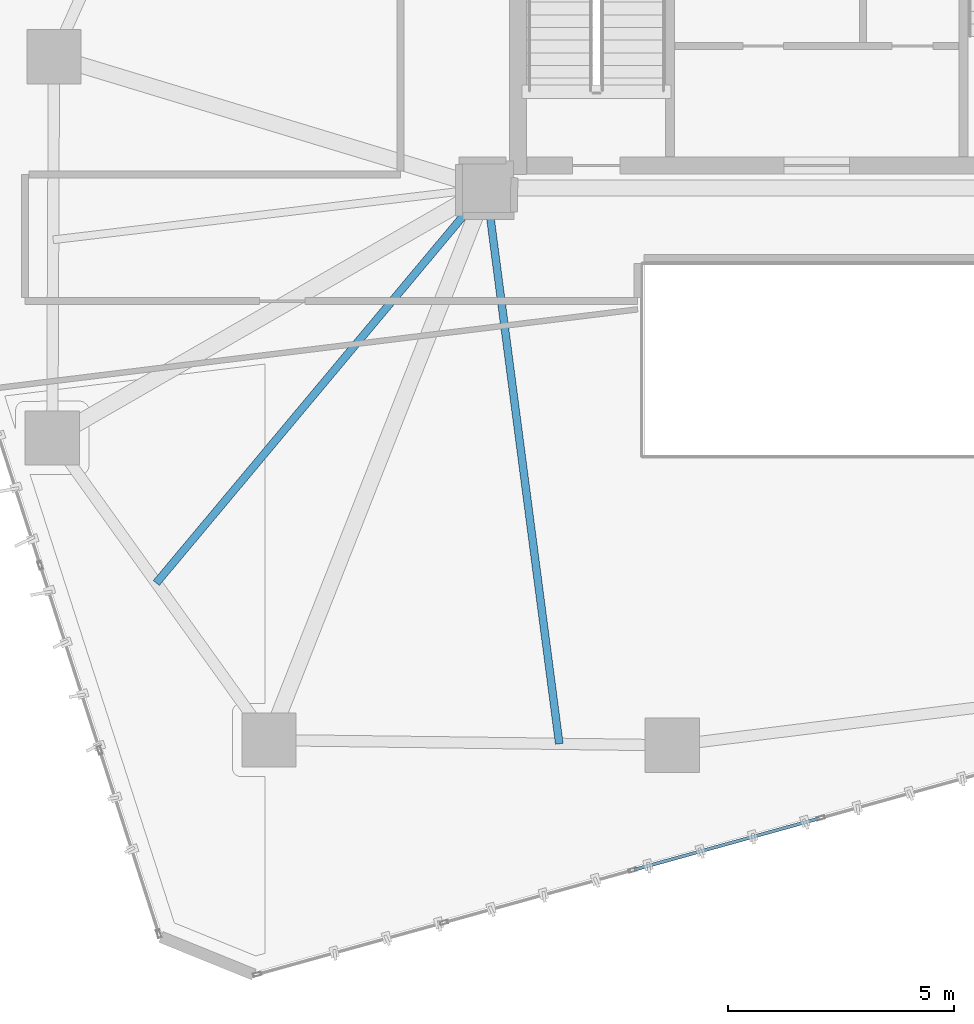
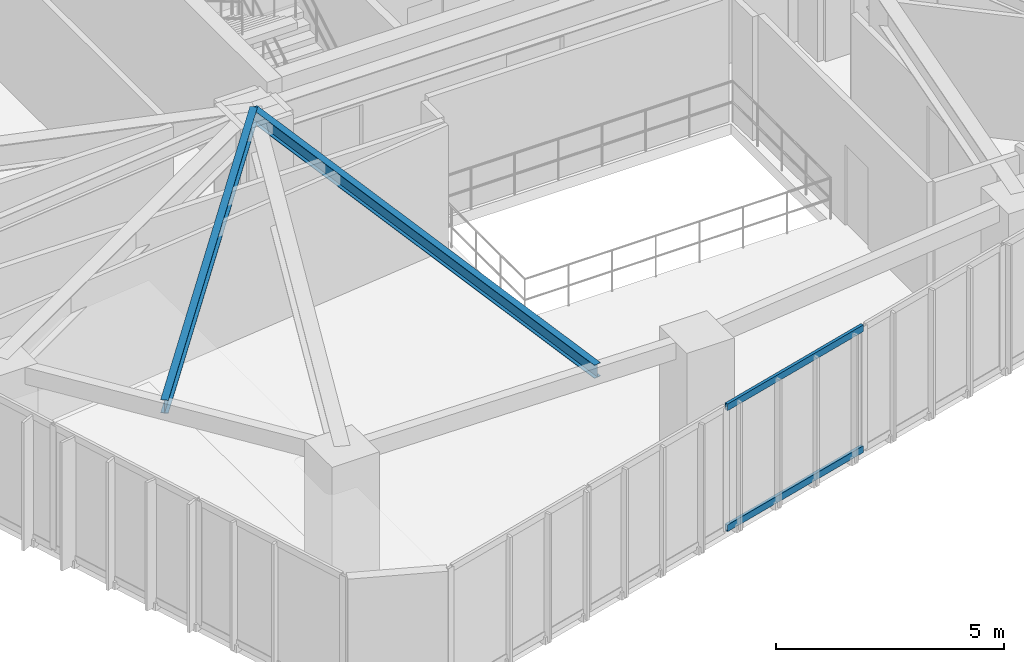
# One storey, part 4 of 20: 2 beams, 2 members, 1 element without a shape of its own.
"""IFC4 building model written with IfcOpenShell, lengths in metres."""

import ifcopenshell
import ifcopenshell.guid

model = None  # the IFC model being written
_history = None  # IfcOwnerHistory: only IFC2X3 demands one
_inside = {}  # id of a spatial element -> (the spatial element, [elements in it])
_under = {}  # id of a project, library or spatial element -> (it, [spatial elements below it])
_declared = {}  # id of a project -> (the project, [libraries it declares])
_typed = {}  # id of a type object -> (the type object, [elements of that type])
_made_of = {}  # id of a material, layer set ... -> (it, [elements and type objects made of it])


def new_model(schema):
    """Start an empty IFC model of exactly this schema.

    Asked for "IFC4X3", IfcOpenShell would pick the latest addendum, in which some entities
    have other attributes; the version numbers below select the first issue.
    IFC2X3 requires an IfcOwnerHistory on every rooted entity: one is made here for all.
    """
    global model, _history
    if schema == "IFC4X3":
        model = ifcopenshell.file(schema_version=(4, 3, 0, 0))
    else:
        model = ifcopenshell.file(schema=schema)
    _inside.clear()
    _under.clear()
    _declared.clear()
    _typed.clear()
    _made_of.clear()
    _history = None
    if model.schema == "IFC2X3":
        org = make("IfcOrganization", Name="unknown")
        user = make(
            "IfcPersonAndOrganization",
            ThePerson=make("IfcPerson", FamilyName="unknown"),
            TheOrganization=org,
        )
        app = make(
            "IfcApplication",
            ApplicationDeveloper=org,
            Version="unknown",
            ApplicationFullName="unknown",
            ApplicationIdentifier="unknown",
        )
        _history = make(
            "IfcOwnerHistory",
            OwningUser=user,
            OwningApplication=app,
            ChangeAction="ADDED",
            CreationDate=0,
        )
    return model


def make(cls, **values):
    """One entity of the class cls with the attributes given. An attribute that is None is left unset."""
    return model.create_entity(
        cls, **{name: value for name, value in values.items() if value is not None}
    )


def rooted(cls, **values):
    """An entity with a GlobalId (a new one), such as an element, a storey or a relation."""
    return make(cls, GlobalId=ifcopenshell.guid.new(), OwnerHistory=_history, **values)


def si_unit(unit_type, name, prefix=None):
    """IfcSIUnit, for example si_unit("LENGTHUNIT", "METRE", prefix="MILLI")."""
    return make("IfcSIUnit", UnitType=unit_type, Prefix=prefix, Name=name)


def assignment(units):
    """IfcUnitAssignment: the units of a project."""
    return None if units is None else make("IfcUnitAssignment", Units=units)


def point(xyz):
    """IfcCartesianPoint."""
    return None if xyz is None else make("IfcCartesianPoint", Coordinates=xyz)


def direction(xyz):
    """IfcDirection."""
    return None if xyz is None else make("IfcDirection", DirectionRatios=xyz)


def frame(location, z_axis=None, x_axis=None):
    """IfcAxis2Placement3D, a coordinate frame: its origin and axes. An axis left out is left unset."""
    return make(
        "IfcAxis2Placement3D",
        Location=point(location),
        Axis=direction(z_axis),
        RefDirection=direction(x_axis),
    )


def frame_2d(location, x_axis=None):
    """IfcAxis2Placement2D, a coordinate frame in the plane: its origin and x axis."""
    return make(
        "IfcAxis2Placement2D", Location=point(location), RefDirection=direction(x_axis)
    )


def origin():
    """The frame at (0, 0, 0) with its axes left unset."""
    return frame((0.0, 0.0, 0.0))


def origin_2d():
    """The frame at (0, 0) in the plane with its x axis left unset."""
    return frame_2d((0.0, 0.0))


def place(relative_to, where):
    """IfcLocalPlacement: puts the frame where relative to a parent placement (None: the world)."""
    return make(
        "IfcLocalPlacement", PlacementRelTo=relative_to, RelativePlacement=where
    )


def context(
    kind, dimensions, precision=None, world=None, true_north=None, identifier=None
):
    """IfcGeometricRepresentationContext, for example the 3D "Model" context."""
    return make(
        "IfcGeometricRepresentationContext",
        ContextIdentifier=identifier,
        ContextType=kind,
        CoordinateSpaceDimension=dimensions,
        Precision=precision,
        WorldCoordinateSystem=world,
        TrueNorth=true_north,
    )


def subcontext(parent, identifier, kind, view, scale=None):
    """IfcGeometricRepresentationSubContext, for example "Body" below "Model"."""
    return make(
        "IfcGeometricRepresentationSubContext",
        ContextIdentifier=identifier,
        ContextType=kind,
        ParentContext=parent,
        TargetScale=scale,
        TargetView=view,
    )


def project(units=None, contexts=None):
    """IfcProject with its units and contexts."""
    return rooted(
        "IfcProject",
        Name="project",
        RepresentationContexts=contexts,
        UnitsInContext=assignment(units),
    )


def spatial(cls, under=None, at=None, **own):
    """A site, building, storey or space (cls), placed at a placement, below another one or the project."""
    s = rooted(cls, ObjectPlacement=at, **own)
    if under is not None:
        _under.setdefault(under.id(), (under, []))[1].append(s)
    return s


def profile(cls, at=None, kind="AREA", **sizes):
    """A parametric profile (cls). Its sizes go by their IFC names, for example OverallWidth=200.0."""
    return make(cls, ProfileType=kind, Position=at, **sizes)


def hollow_rectangle(**sizes):
    """IfcRectangleHollowProfileDef."""
    return profile("IfcRectangleHollowProfileDef", **sizes)


def i_section(**sizes):
    """IfcIShapeProfileDef."""
    return profile("IfcIShapeProfileDef", **sizes)


def extrude(swept, where, along, depth):
    """IfcExtrudedAreaSolid: the profile swept, set in the frame where, extruded along a direction by depth."""
    return make(
        "IfcExtrudedAreaSolid",
        SweptArea=swept,
        Position=where,
        ExtrudedDirection=direction(along),
        Depth=depth,
    )


def shape(context_of_items, identifier, shape_type, items):
    """IfcShapeRepresentation: the items that make up one representation, for example the "Body"."""
    return make(
        "IfcShapeRepresentation",
        ContextOfItems=context_of_items,
        RepresentationIdentifier=identifier,
        RepresentationType=shape_type,
        Items=items,
    )


def source(mapping_origin, context_of_items, identifier, shape_type, items):
    """IfcRepresentationMap: a shape defined once, which mapped items show again and again."""
    return make(
        "IfcRepresentationMap",
        MappingOrigin=mapping_origin,
        MappedRepresentation=shape(context_of_items, identifier, shape_type, items),
    )


def transform(
    local_origin,
    x_axis=None,
    y_axis=None,
    z_axis=None,
    scale=None,
    scale2=None,
    scale3=None,
    uniform=True,
):
    """IfcCartesianTransformationOperator3D, or its non-uniform kind. x_axis, y_axis, z_axis: its Axis1, 2, 3."""
    if uniform:
        return make(
            "IfcCartesianTransformationOperator3D",
            Axis1=direction(x_axis),
            Axis2=direction(y_axis),
            LocalOrigin=point(local_origin),
            Scale=scale,
            Axis3=direction(z_axis),
        )
    return make(
        "IfcCartesianTransformationOperator3DnonUniform",
        Axis1=direction(x_axis),
        Axis2=direction(y_axis),
        LocalOrigin=point(local_origin),
        Scale=scale,
        Axis3=direction(z_axis),
        Scale2=scale2,
        Scale3=scale3,
    )


def mapped(mapping_source, mapping_target):
    """IfcMappedItem: shows the shape of a source again, moved by a transform."""
    return make(
        "IfcMappedItem", MappingSource=mapping_source, MappingTarget=mapping_target
    )


def material(Name=None, Category=None):
    """IfcMaterial."""
    return make("IfcMaterial", Name=Name, Category=Category)


def layer(
    of_material, thickness, ventilated=None, Name=None, Category=None, Priority=None
):
    """IfcMaterialLayer: one layer of a wall or slab, of a material (None: an air gap)."""
    return make(
        "IfcMaterialLayer",
        Material=of_material,
        LayerThickness=thickness,
        IsVentilated=ventilated,
        Name=Name,
        Category=Category,
        Priority=Priority,
    )


def layer_set(layers, Name=None):
    """IfcMaterialLayerSet."""
    return make("IfcMaterialLayerSet", MaterialLayers=layers, LayerSetName=Name)


def material_profile(
    of_material, cross_section, Name=None, Category=None, Priority=None
):
    """IfcMaterialProfile: a cross section and its material."""
    return make(
        "IfcMaterialProfile",
        Name=Name,
        Material=of_material,
        Profile=cross_section,
        Priority=Priority,
        Category=Category,
    )


def profile_set(profiles, Name=None, composite=None):
    """IfcMaterialProfileSet."""
    return make(
        "IfcMaterialProfileSet",
        Name=Name,
        MaterialProfiles=profiles,
        CompositeProfile=composite,
    )


def made_of(thing, what):
    """Note that an element or type object is made of a material, layer set ...; save() writes the relation."""
    if what is not None:
        _made_of.setdefault(what.id(), (what, []))[1].append(thing)
    return thing


def type_object(cls, material=None, **own):
    """A type object (cls), such as IfcWallType, which elements share."""
    return made_of(rooted(cls, **own), material)


def type_shapes(of_type, sources):
    """Give a type object the sources (RepresentationMaps) that its elements show as mapped items."""
    of_type.RepresentationMaps = sources


def element(
    cls,
    number,
    at=None,
    inside=None,
    cuts=None,
    type_object=None,
    material=None,
    context=None,
    identifier="Body",
    shape_type=None,
    held_by="IfcProductDefinitionShape",
    body=None,
    shapes=None,
    **own,
):
    """One element of the class cls, such as IfcWall. Its Tag is "e" and its number.

    at: its placement. inside: the storey or other place that contains it. cuts: it is an
    opening in that element (IfcRelVoidsElement). A single representation is given by context,
    identifier, shape_type and body (its items); several are given by shapes. held_by: the class
    of the entity that holds the representations. save() writes the other relations.
    """
    e = rooted(cls, Tag="e%d" % number, ObjectPlacement=at, **own)
    if body is not None:
        shapes = [shape(context, identifier, shape_type, body)]
    if shapes is not None:
        e.Representation = make(held_by, Representations=shapes)
    if inside is not None:
        _inside.setdefault(inside.id(), (inside, []))[1].append(e)
    if cuts is not None:
        rooted(
            "IfcRelVoidsElement", RelatingBuildingElement=cuts, RelatedOpeningElement=e
        )
    if type_object is not None:
        _typed.setdefault(type_object.id(), (type_object, []))[1].append(e)
    return made_of(e, material)


def aggregate(whole, parts):
    """IfcRelAggregates: a whole, such as a stair, and the parts it consists of."""
    return rooted("IfcRelAggregates", RelatingObject=whole, RelatedObjects=parts)


def save(model, path):
    """Write the relations noted so far, then the file.

    IfcRelAggregates (storeys below a building ...), IfcRelContainedInSpatialStructure (elements
    in a storey), IfcRelDefinesByType, IfcRelAssociatesMaterial and IfcRelDeclares: one each for
    every whole, place, type object, material and project.
    """
    for whole, parts in _under.values():
        aggregate(whole, parts)
    for where, things in _inside.values():
        rooted(
            "IfcRelContainedInSpatialStructure",
            RelatedElements=things,
            RelatingStructure=where,
        )
    for kind, things in _typed.values():
        rooted("IfcRelDefinesByType", RelatedObjects=things, RelatingType=kind)
    for what, things in _made_of.values():
        rooted("IfcRelAssociatesMaterial", RelatedObjects=things, RelatingMaterial=what)
    for by, libraries in _declared.values():
        rooted("IfcRelDeclares", RelatingContext=by, RelatedDefinitions=libraries)
    model.write(path)


model = new_model("IFC4")

# Units and contexts
model_context = context("Model", 3, precision=1e-05, world=origin(), true_north=direction((0.0, 1.0)))
body_context = subcontext(model_context, "Body", "Model", "MODEL_VIEW")
ifc_project = project(units=[si_unit("LENGTHUNIT", "METRE"), si_unit("AREAUNIT", "SQUARE_METRE"), si_unit("VOLUMEUNIT", "CUBIC_METRE"), si_unit("PLANEANGLEUNIT", "RADIAN"), si_unit("MASSUNIT", "GRAM", prefix="KILO")], contexts=[model_context])

# Site, building, storey
site_placement = place(None, origin())
site = spatial("IfcSite", under=ifc_project, at=site_placement, CompositionType="ELEMENT")
building_placement = place(site_placement, origin())
building = spatial("IfcBuilding", under=site, at=building_placement, Name="Talar Marvaseh", CompositionType="ELEMENT")
storey_placement = place(building_placement, frame((0.0, 0.0, 136.199951171875)))
storey = spatial("IfcBuildingStorey", under=building, at=storey_placement, Name="L35", CompositionType="ELEMENT", Elevation=136.199951171875)

# Beams
ifc_material_1 = material(Name="Steel S355", Category="steel")
ifc_material_profile_1 = material_profile(ifc_material_1, i_section(OverallWidth=0.172119140625, OverallDepth=0.35791015625, WebThickness=0.0078125, FlangeThickness=0.01318359375, at=origin_2d()), Name="W360x57")
ifc_profile_set_1 = profile_set([ifc_material_profile_1], Name="Steel S355")
beam_type = type_object("IfcBeamType", Name="Zone 2 Secondary Floor Joist W360x57", PredefinedType="JOIST", material=ifc_profile_set_1)
beam_1_placement = place(storey_placement, frame((20.30908203125, 13.215576171875, 3.131103515625), z_axis=(-0.129880008292, 0.991529718892, 0.0), x_axis=(-0.991529718892, -0.129880008292, 0.0)))
element("IfcBeam", 1, at=beam_1_placement, inside=storey, type_object=beam_type, Name="L35 Zone 2 Secondary Floor Joist W360x57", PredefinedType="JOIST", context=body_context, shape_type="SweptSolid", body=[
    extrude(i_section(OverallWidth=0.172119140625, OverallDepth=0.35791015625, WebThickness=0.0078125, FlangeThickness=0.01318359375, at=origin_2d()), origin(), (0.0, 0.0, 1.0), 12.389404296875),
])
beam_2_placement = place(storey_placement, frame((11.400146484375, 16.771484375, 3.131103515625), z_axis=(0.641534082313, 0.767094532135, 0.0), x_axis=(-0.767094532135, 0.641534082313, 0.0)))
element("IfcBeam", 2, at=beam_2_placement, inside=storey, type_object=beam_type, Name="L35 Zone 2 Secondary Floor Joist W360x57", PredefinedType="JOIST", context=body_context, shape_type="SweptSolid", body=[
    extrude(i_section(OverallWidth=0.172119140625, OverallDepth=0.35791015625, WebThickness=0.0078125, FlangeThickness=0.01318359375, at=origin_2d()), origin(), (0.0, 0.0, 1.0), 11.378662109375),
])

# Curtain wall, members
ifc_material_2 = material(Name="Architectural Aluminium", Category="aluminium")
ifc_layer = layer(ifc_material_2, 0.199951171875)
ifc_layer_set = layer_set([ifc_layer], Name="Architectural Aluminium")
curtain_wall_type = type_object("IfcCurtainWallType", Name="Unitised Acoustic Library Curtain Wall Z2", PredefinedType="NOTDEFINED", material=ifc_layer_set)
curtain_wall_placement = place(storey_placement, origin())
curtain_wall = element("IfcCurtainWall", 3, at=curtain_wall_placement, inside=storey, type_object=curtain_wall_type, Name="L35 Unitised Acoustic Library Curtain Wall Z2", PredefinedType="NOTDEFINED")
ifc_material_profile_2 = material_profile(ifc_material_2, hollow_rectangle(XDim=0.074951171875, YDim=0.179931640625, WallThickness=0.0048828125, at=origin_2d()), Name="RHS180x75x5")
ifc_profile_set_2 = profile_set([ifc_material_profile_2], Name="Architectural Aluminium")
member_type = type_object("IfcMemberType", Name="Unitised Curtain Wall Transom RHS180x75x5", PredefinedType="USERDEFINED", material=ifc_profile_set_2)
shared_shape = source(origin(), body_context, "Body", "SweptSolid", [
    extrude(hollow_rectangle(XDim=0.074951171875, YDim=0.179931640625, WallThickness=0.0048828125, at=origin_2d()), origin(), (0.0, 0.0, 1.0), 4.24853515625),
])
type_shapes(member_type, [shared_shape])
member_1_placement = place(storey_placement, frame((26.057373046875, 11.568603515625, 0.03759765625), z_axis=(-0.963588679207, -0.267388962569, 0.0), x_axis=(0.267388962569, -0.963588679207, 0.0)))
member_1 = element("IfcMember", 4, at=member_1_placement, type_object=member_type, Name="CW-Z2 transom 3.1", ObjectType="TRANSOM", PredefinedType="USERDEFINED", context=body_context, shape_type="MappedRepresentation", body=[
    mapped(shared_shape, transform((0.0, 0.0, 0.0), x_axis=(1.0, 0.0, 0.0), y_axis=(0.0, 1.0, 0.0), z_axis=(0.0, 0.0, 1.0), scale=1.0)),
])
member_2_placement = place(storey_placement, frame((26.057373046875, 11.568603515625, 3.2724609375), z_axis=(-0.963588679207, -0.267388962569, 0.0), x_axis=(0.267388962569, -0.963588679207, 0.0)))
member_2 = element("IfcMember", 5, at=member_2_placement, type_object=member_type, Name="CW-Z2 transom 3.2", ObjectType="TRANSOM", PredefinedType="USERDEFINED", context=body_context, shape_type="MappedRepresentation", body=[
    mapped(shared_shape, transform((0.0, 0.0, 0.0), x_axis=(1.0, 0.0, 0.0), y_axis=(0.0, 1.0, 0.0), z_axis=(0.0, 0.0, 1.0), scale=1.0)),
])
aggregate(curtain_wall, [member_1, member_2])

save(model, "model.ifc")
